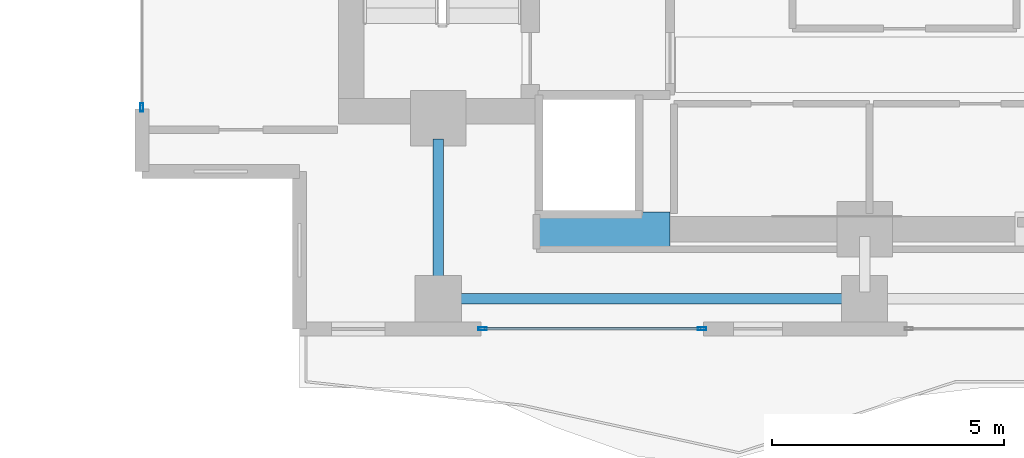
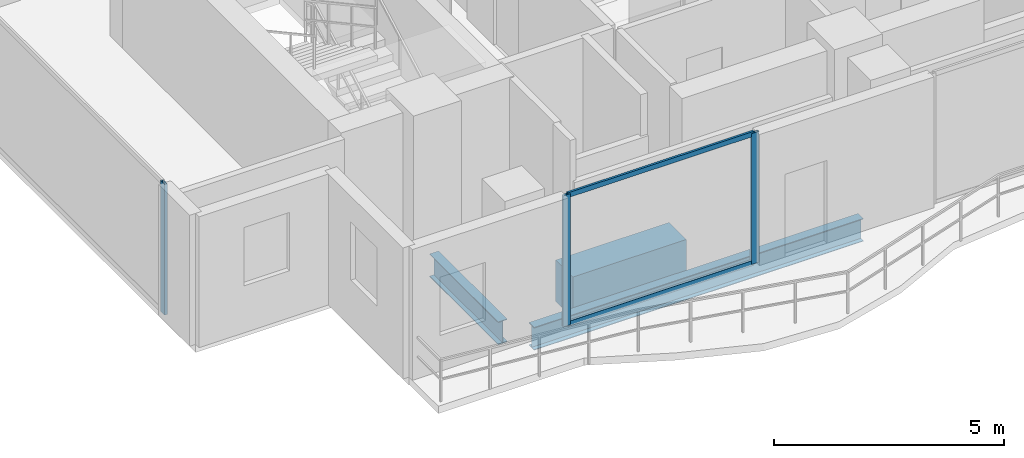
# One storey, part 2 of 26: 5 members, 3 beams, 2 elements without a shape of their own.
"""IFC4 building model written with IfcOpenShell, lengths in metres."""

from ifc_helpers import new_model, si_unit, direction, frame, origin, origin_2d, place, context, subcontext, project, spatial, rectangle, hollow_rectangle, i_section, extrude, material, layer, layer_set, material_profile, profile_set, type_object, element, aggregate, save


model = new_model("IFC4")

# Units and contexts
model_context = context("Model", 3, precision=1e-05, world=origin(), true_north=direction((0.0, 1.0)))
body_context = subcontext(model_context, "Body", "Model", "MODEL_VIEW")
ifc_project = project(units=[si_unit("LENGTHUNIT", "METRE"), si_unit("AREAUNIT", "SQUARE_METRE"), si_unit("VOLUMEUNIT", "CUBIC_METRE"), si_unit("PLANEANGLEUNIT", "RADIAN"), si_unit("MASSUNIT", "GRAM", prefix="KILO")], contexts=[model_context])

# Site, building, storey
site_placement = place(None, origin())
site = spatial("IfcSite", under=ifc_project, at=site_placement, CompositionType="ELEMENT")
building_placement = place(site_placement, origin())
building = spatial("IfcBuilding", under=site, at=building_placement, Name="Zuhayl Quay Hotel", CompositionType="ELEMENT")
storey_placement = place(building_placement, frame((0.0, 0.0, 254.449951171875)))
storey = spatial("IfcBuildingStorey", under=building, at=storey_placement, Name="L64", CompositionType="ELEMENT", Elevation=254.449951171875)

# Beams
ifc_material_1 = material(Name="Steel ASTM A992 Grade 50", Category="steel")
ifc_material_profile_1 = material_profile(ifc_material_1, i_section(OverallWidth=0.22802734375, OverallDepth=0.60693359375, WebThickness=0.01123046875, FlangeThickness=0.017333984375, at=origin_2d()), Name="W24X76")
ifc_profile_set_1 = profile_set([ifc_material_profile_1], Name="Steel ASTM A992 Grade 50")
beam_type_1 = type_object("IfcBeamType", Name="BM_B3_W24X76", PredefinedType="BEAM", material=ifc_profile_set_1)
beam_1_placement = place(storey_placement, frame((-13.340087890625, 0.64990234375, -0.5234375), z_axis=(1.0, 0.0, 0.0), x_axis=(0.0, 1.0, 0.0)))
element("IfcBeam", 1, at=beam_1_placement, inside=storey, type_object=beam_type_1, Name="L64 Floor Beam RG_L64_01", PredefinedType="BEAM", context=body_context, shape_type="SweptSolid", body=[
    extrude(i_section(OverallWidth=0.22802734375, OverallDepth=0.60693359375, WebThickness=0.01123046875, FlangeThickness=0.017333984375, at=origin_2d()), origin(), (0.0, 0.0, 1.0), 8.280029296875),
])
beam_2_placement = place(storey_placement, frame((-13.800048828125, 1.110107421875, -0.5234375), z_axis=(0.0, 1.0, 0.0), x_axis=(-1.0, 0.0, 0.0)))
element("IfcBeam", 2, at=beam_2_placement, inside=storey, type_object=beam_type_1, Name="L64 Floor Beam FG_S_L64_1", PredefinedType="BEAM", context=body_context, shape_type="SweptSolid", body=[
    extrude(i_section(OverallWidth=0.22802734375, OverallDepth=0.60693359375, WebThickness=0.01123046875, FlangeThickness=0.017333984375, at=origin_2d()), origin(), (0.0, 0.0, 1.0), 2.989990234375),
])
ifc_material_2 = material(Name="Concrete C60/75", Category="concrete")
ifc_material_profile_2 = material_profile(ifc_material_2, rectangle(XDim=0.75, YDim=1.10009765625, at=origin_2d()), Name="RC750X1100")
ifc_profile_set_2 = profile_set([ifc_material_profile_2], Name="Concrete C60/75")
beam_type_2 = type_object("IfcBeamType", Name="BM_CB2_RC750", PredefinedType="T_BEAM", material=ifc_profile_set_2)
beam_3_placement = place(storey_placement, frame((-11.64990234375, 2.14990234375, -0.77001953125), z_axis=(1.0, 0.0, 0.0), x_axis=(0.0, 1.0, 0.0)))
element("IfcBeam", 3, at=beam_3_placement, inside=storey, type_object=beam_type_2, Name="L64 Core Coupling Beam SW", PredefinedType="T_BEAM", context=body_context, shape_type="SweptSolid", body=[
    extrude(rectangle(XDim=0.75, YDim=1.10009765625, at=origin_2d()), origin(), (0.0, 0.0, 1.0), 2.849853515625),
])

# Curtain wall, member
ifc_material_3 = material(Name="Anodised Aluminium 6063-T6", Category="aluminium")
ifc_layer = layer(ifc_material_3, 0.169921875, Name="Anodised Aluminium 6063-T6", Category="aluminium")
ifc_layer_set = layer_set([ifc_layer], Name="Anodised Aluminium 6063-T6")
curtain_wall_type = type_object("IfcCurtainWallType", Name="CW_SYS_Z4", PredefinedType="USERDEFINED", material=ifc_layer_set)
curtain_wall_1_placement = place(storey_placement, origin())
curtain_wall_1 = element("IfcCurtainWall", 4, at=curtain_wall_1_placement, inside=storey, type_object=curtain_wall_type, Name="L64 Curtain Wall ENV_L64_E02_CW1", ObjectType="UNITISED CURTAIN WALL", PredefinedType="USERDEFINED")
ifc_material_4 = material(Name="Black-anodised aluminium 6063-T6", Category="aluminium")
ifc_material_profile_3 = material_profile(ifc_material_4, hollow_rectangle(XDim=0.06494140625, YDim=0.179931640625, WallThickness=0.00341796875, at=origin_2d()), Name="ALU180X65")
ifc_profile_set_3 = profile_set([ifc_material_profile_3], Name="Black-anodised aluminium 6063-T6")
member_type_1 = type_object("IfcMemberType", Name="MB_CW_MUL_180", PredefinedType="MULLION", material=ifc_profile_set_3)
member_1_placement = place(storey_placement, frame((-20.199951171875, 4.782470703125, 0.0), z_axis=(0.0, 0.0, 1.0), x_axis=(-1.0, 0.0, 0.0)))
member_1 = element("IfcMember", 5, at=member_1_placement, type_object=member_type_1, Name="CW-Z4 mullion 1", PredefinedType="MULLION", context=body_context, shape_type="SweptSolid", body=[
    extrude(hollow_rectangle(XDim=0.06494140625, YDim=0.179931640625, WallThickness=0.00341796875, at=origin_2d()), origin(), (0.0, 0.0, 1.0), 3.47998046875),
])
aggregate(curtain_wall_1, [member_1])

# Curtain wall, members
curtain_wall_2_placement = place(storey_placement, origin())
curtain_wall_2 = element("IfcCurtainWall", 6, at=curtain_wall_2_placement, inside=storey, type_object=curtain_wall_type, Name="L64 Curtain Wall ENV_L64_S_CW4", ObjectType="UNITISED CURTAIN WALL", PredefinedType="USERDEFINED")
member_2_placement = place(storey_placement, frame((-8.107421875, 0.0, 0.0), z_axis=(0.0, 0.0, 1.0), x_axis=(0.0, -1.0, 0.0)))
member_2 = element("IfcMember", 7, at=member_2_placement, type_object=member_type_1, Name="CW-Z4 mullion 1", PredefinedType="MULLION", context=body_context, shape_type="SweptSolid", body=[
    extrude(hollow_rectangle(XDim=0.06494140625, YDim=0.179931640625, WallThickness=0.00341796875, at=origin_2d()), origin(), (0.0, 0.0, 1.0), 3.47998046875),
])
member_3_placement = place(storey_placement, frame((-12.847412109375, 0.0, 0.0), z_axis=(0.0, 0.0, 1.0), x_axis=(0.0, -1.0, 0.0)))
member_3 = element("IfcMember", 8, at=member_3_placement, type_object=member_type_1, Name="CW-Z4 mullion 2", PredefinedType="MULLION", context=body_context, shape_type="SweptSolid", body=[
    extrude(hollow_rectangle(XDim=0.06494140625, YDim=0.179931640625, WallThickness=0.00341796875, at=origin_2d()), origin(), (0.0, 0.0, 1.0), 3.47998046875),
])
ifc_material_profile_4 = material_profile(ifc_material_4, hollow_rectangle(XDim=0.054931640625, YDim=0.1298828125, WallThickness=0.0029296875, at=origin_2d()), Name="ALU130X55")
ifc_profile_set_4 = profile_set([ifc_material_profile_4], Name="Black-anodised aluminium 6063-T6")
member_type_2 = type_object("IfcMemberType", Name="MB_CW_TRN_130", PredefinedType="USERDEFINED", material=ifc_profile_set_4)
member_4_placement = place(storey_placement, frame((-8.139892578125, 0.0, 0.027587890625), z_axis=(-1.0, 0.0, 0.0), x_axis=(0.0, -1.0, 0.0)))
member_4 = element("IfcMember", 9, at=member_4_placement, type_object=member_type_2, Name="CW-Z4 transom 1.1", ObjectType="TRANSOM", PredefinedType="USERDEFINED", context=body_context, shape_type="SweptSolid", body=[
    extrude(hollow_rectangle(XDim=0.054931640625, YDim=0.1298828125, WallThickness=0.0029296875, at=origin_2d()), origin(), (0.0, 0.0, 1.0), 4.675048828125),
])
member_5_placement = place(storey_placement, frame((-8.139892578125, 0.0, 3.45263671875), z_axis=(-1.0, 0.0, 0.0), x_axis=(0.0, -1.0, 0.0)))
member_5 = element("IfcMember", 10, at=member_5_placement, type_object=member_type_2, Name="CW-Z4 transom 1.2", ObjectType="TRANSOM", PredefinedType="USERDEFINED", context=body_context, shape_type="SweptSolid", body=[
    extrude(hollow_rectangle(XDim=0.054931640625, YDim=0.1298828125, WallThickness=0.0029296875, at=origin_2d()), origin(), (0.0, 0.0, 1.0), 4.675048828125),
])
aggregate(curtain_wall_2, [member_2, member_3, member_4, member_5])

save(model, "model.ifc")
